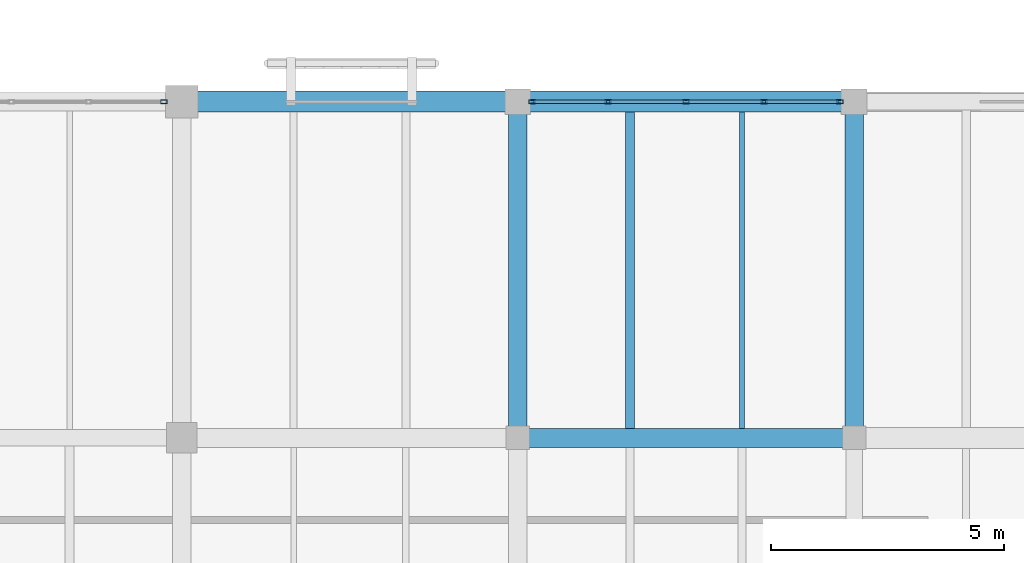
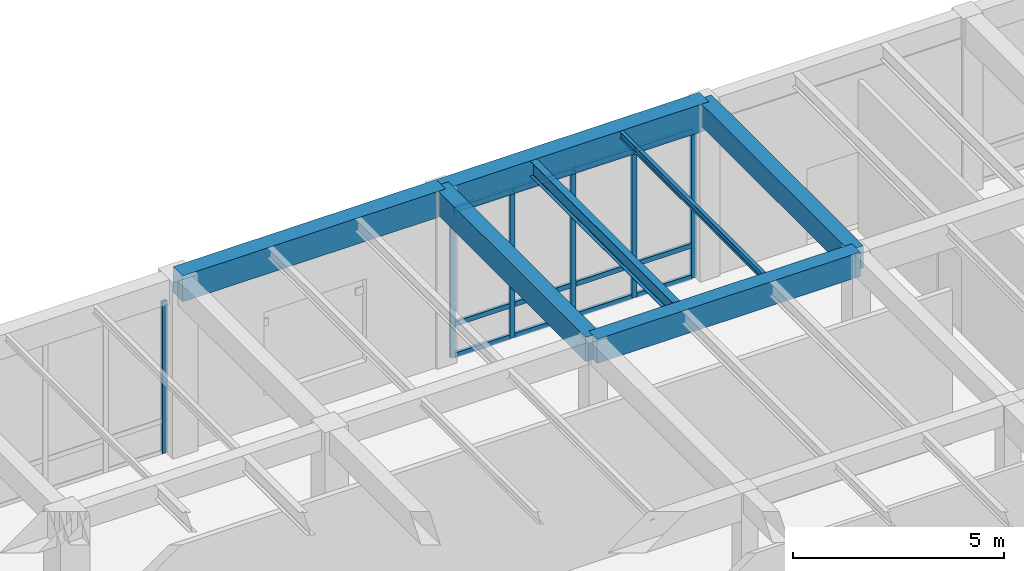
# One storey, part 106 of 169: 18 members, 7 beams, 2 elements without a shape of their own.
"""IFC4 building model written with IfcOpenShell, lengths in metres."""

import ifcopenshell
import ifcopenshell.guid

model = None  # the IFC model being written
_history = None  # IfcOwnerHistory: only IFC2X3 demands one
_inside = {}  # id of a spatial element -> (the spatial element, [elements in it])
_under = {}  # id of a project, library or spatial element -> (it, [spatial elements below it])
_declared = {}  # id of a project -> (the project, [libraries it declares])
_typed = {}  # id of a type object -> (the type object, [elements of that type])
_made_of = {}  # id of a material, layer set ... -> (it, [elements and type objects made of it])


def new_model(schema):
    """Start an empty IFC model of exactly this schema.

    Asked for "IFC4X3", IfcOpenShell would pick the latest addendum, in which some entities
    have other attributes; the version numbers below select the first issue.
    IFC2X3 requires an IfcOwnerHistory on every rooted entity: one is made here for all.
    """
    global model, _history
    if schema == "IFC4X3":
        model = ifcopenshell.file(schema_version=(4, 3, 0, 0))
    else:
        model = ifcopenshell.file(schema=schema)
    _inside.clear()
    _under.clear()
    _declared.clear()
    _typed.clear()
    _made_of.clear()
    _history = None
    if model.schema == "IFC2X3":
        org = make("IfcOrganization", Name="unknown")
        user = make(
            "IfcPersonAndOrganization",
            ThePerson=make("IfcPerson", FamilyName="unknown"),
            TheOrganization=org,
        )
        app = make(
            "IfcApplication",
            ApplicationDeveloper=org,
            Version="unknown",
            ApplicationFullName="unknown",
            ApplicationIdentifier="unknown",
        )
        _history = make(
            "IfcOwnerHistory",
            OwningUser=user,
            OwningApplication=app,
            ChangeAction="ADDED",
            CreationDate=0,
        )
    return model


def make(cls, **values):
    """One entity of the class cls with the attributes given. An attribute that is None is left unset."""
    return model.create_entity(
        cls, **{name: value for name, value in values.items() if value is not None}
    )


def rooted(cls, **values):
    """An entity with a GlobalId (a new one), such as an element, a storey or a relation."""
    return make(cls, GlobalId=ifcopenshell.guid.new(), OwnerHistory=_history, **values)


def si_unit(unit_type, name, prefix=None):
    """IfcSIUnit, for example si_unit("LENGTHUNIT", "METRE", prefix="MILLI")."""
    return make("IfcSIUnit", UnitType=unit_type, Prefix=prefix, Name=name)


def assignment(units):
    """IfcUnitAssignment: the units of a project."""
    return None if units is None else make("IfcUnitAssignment", Units=units)


def point(xyz):
    """IfcCartesianPoint."""
    return None if xyz is None else make("IfcCartesianPoint", Coordinates=xyz)


def direction(xyz):
    """IfcDirection."""
    return None if xyz is None else make("IfcDirection", DirectionRatios=xyz)


def frame(location, z_axis=None, x_axis=None):
    """IfcAxis2Placement3D, a coordinate frame: its origin and axes. An axis left out is left unset."""
    return make(
        "IfcAxis2Placement3D",
        Location=point(location),
        Axis=direction(z_axis),
        RefDirection=direction(x_axis),
    )


def frame_2d(location, x_axis=None):
    """IfcAxis2Placement2D, a coordinate frame in the plane: its origin and x axis."""
    return make(
        "IfcAxis2Placement2D", Location=point(location), RefDirection=direction(x_axis)
    )


def origin():
    """The frame at (0, 0, 0) with its axes left unset."""
    return frame((0.0, 0.0, 0.0))


def origin_2d():
    """The frame at (0, 0) in the plane with its x axis left unset."""
    return frame_2d((0.0, 0.0))


def place(relative_to, where):
    """IfcLocalPlacement: puts the frame where relative to a parent placement (None: the world)."""
    return make(
        "IfcLocalPlacement", PlacementRelTo=relative_to, RelativePlacement=where
    )


def context(
    kind, dimensions, precision=None, world=None, true_north=None, identifier=None
):
    """IfcGeometricRepresentationContext, for example the 3D "Model" context."""
    return make(
        "IfcGeometricRepresentationContext",
        ContextIdentifier=identifier,
        ContextType=kind,
        CoordinateSpaceDimension=dimensions,
        Precision=precision,
        WorldCoordinateSystem=world,
        TrueNorth=true_north,
    )


def subcontext(parent, identifier, kind, view, scale=None):
    """IfcGeometricRepresentationSubContext, for example "Body" below "Model"."""
    return make(
        "IfcGeometricRepresentationSubContext",
        ContextIdentifier=identifier,
        ContextType=kind,
        ParentContext=parent,
        TargetScale=scale,
        TargetView=view,
    )


def project(units=None, contexts=None):
    """IfcProject with its units and contexts."""
    return rooted(
        "IfcProject",
        Name="project",
        RepresentationContexts=contexts,
        UnitsInContext=assignment(units),
    )


def spatial(cls, under=None, at=None, **own):
    """A site, building, storey or space (cls), placed at a placement, below another one or the project."""
    s = rooted(cls, ObjectPlacement=at, **own)
    if under is not None:
        _under.setdefault(under.id(), (under, []))[1].append(s)
    return s


def profile(cls, at=None, kind="AREA", **sizes):
    """A parametric profile (cls). Its sizes go by their IFC names, for example OverallWidth=200.0."""
    return make(cls, ProfileType=kind, Position=at, **sizes)


def rectangle(**sizes):
    """IfcRectangleProfileDef."""
    return profile("IfcRectangleProfileDef", **sizes)


def hollow_rectangle(**sizes):
    """IfcRectangleHollowProfileDef."""
    return profile("IfcRectangleHollowProfileDef", **sizes)


def i_section(**sizes):
    """IfcIShapeProfileDef."""
    return profile("IfcIShapeProfileDef", **sizes)


def extrude(swept, where, along, depth):
    """IfcExtrudedAreaSolid: the profile swept, set in the frame where, extruded along a direction by depth."""
    return make(
        "IfcExtrudedAreaSolid",
        SweptArea=swept,
        Position=where,
        ExtrudedDirection=direction(along),
        Depth=depth,
    )


def shape(context_of_items, identifier, shape_type, items):
    """IfcShapeRepresentation: the items that make up one representation, for example the "Body"."""
    return make(
        "IfcShapeRepresentation",
        ContextOfItems=context_of_items,
        RepresentationIdentifier=identifier,
        RepresentationType=shape_type,
        Items=items,
    )


def material(Name=None, Category=None):
    """IfcMaterial."""
    return make("IfcMaterial", Name=Name, Category=Category)


def layer(
    of_material, thickness, ventilated=None, Name=None, Category=None, Priority=None
):
    """IfcMaterialLayer: one layer of a wall or slab, of a material (None: an air gap)."""
    return make(
        "IfcMaterialLayer",
        Material=of_material,
        LayerThickness=thickness,
        IsVentilated=ventilated,
        Name=Name,
        Category=Category,
        Priority=Priority,
    )


def layer_set(layers, Name=None):
    """IfcMaterialLayerSet."""
    return make("IfcMaterialLayerSet", MaterialLayers=layers, LayerSetName=Name)


def material_profile(
    of_material, cross_section, Name=None, Category=None, Priority=None
):
    """IfcMaterialProfile: a cross section and its material."""
    return make(
        "IfcMaterialProfile",
        Name=Name,
        Material=of_material,
        Profile=cross_section,
        Priority=Priority,
        Category=Category,
    )


def profile_set(profiles, Name=None, composite=None):
    """IfcMaterialProfileSet."""
    return make(
        "IfcMaterialProfileSet",
        Name=Name,
        MaterialProfiles=profiles,
        CompositeProfile=composite,
    )


def made_of(thing, what):
    """Note that an element or type object is made of a material, layer set ...; save() writes the relation."""
    if what is not None:
        _made_of.setdefault(what.id(), (what, []))[1].append(thing)
    return thing


def type_object(cls, material=None, **own):
    """A type object (cls), such as IfcWallType, which elements share."""
    return made_of(rooted(cls, **own), material)


def element(
    cls,
    number,
    at=None,
    inside=None,
    cuts=None,
    type_object=None,
    material=None,
    context=None,
    identifier="Body",
    shape_type=None,
    held_by="IfcProductDefinitionShape",
    body=None,
    shapes=None,
    **own,
):
    """One element of the class cls, such as IfcWall. Its Tag is "e" and its number.

    at: its placement. inside: the storey or other place that contains it. cuts: it is an
    opening in that element (IfcRelVoidsElement). A single representation is given by context,
    identifier, shape_type and body (its items); several are given by shapes. held_by: the class
    of the entity that holds the representations. save() writes the other relations.
    """
    e = rooted(cls, Tag="e%d" % number, ObjectPlacement=at, **own)
    if body is not None:
        shapes = [shape(context, identifier, shape_type, body)]
    if shapes is not None:
        e.Representation = make(held_by, Representations=shapes)
    if inside is not None:
        _inside.setdefault(inside.id(), (inside, []))[1].append(e)
    if cuts is not None:
        rooted(
            "IfcRelVoidsElement", RelatingBuildingElement=cuts, RelatedOpeningElement=e
        )
    if type_object is not None:
        _typed.setdefault(type_object.id(), (type_object, []))[1].append(e)
    return made_of(e, material)


def aggregate(whole, parts):
    """IfcRelAggregates: a whole, such as a stair, and the parts it consists of."""
    return rooted("IfcRelAggregates", RelatingObject=whole, RelatedObjects=parts)


def save(model, path):
    """Write the relations noted so far, then the file.

    IfcRelAggregates (storeys below a building ...), IfcRelContainedInSpatialStructure (elements
    in a storey), IfcRelDefinesByType, IfcRelAssociatesMaterial and IfcRelDeclares: one each for
    every whole, place, type object, material and project.
    """
    for whole, parts in _under.values():
        aggregate(whole, parts)
    for where, things in _inside.values():
        rooted(
            "IfcRelContainedInSpatialStructure",
            RelatedElements=things,
            RelatingStructure=where,
        )
    for kind, things in _typed.values():
        rooted("IfcRelDefinesByType", RelatedObjects=things, RelatingType=kind)
    for what, things in _made_of.values():
        rooted("IfcRelAssociatesMaterial", RelatedObjects=things, RelatingMaterial=what)
    for by, libraries in _declared.values():
        rooted("IfcRelDeclares", RelatingContext=by, RelatedDefinitions=libraries)
    model.write(path)


model = new_model("IFC4")

# Units and contexts
model_context = context("Model", 3, precision=1e-05, world=origin(), true_north=direction((0.0, 1.0)))
body_context = subcontext(model_context, "Body", "Model", "MODEL_VIEW")
ifc_project = project(units=[si_unit("LENGTHUNIT", "METRE"), si_unit("AREAUNIT", "SQUARE_METRE"), si_unit("VOLUMEUNIT", "CUBIC_METRE"), si_unit("PLANEANGLEUNIT", "RADIAN"), si_unit("MASSUNIT", "GRAM", prefix="KILO")], contexts=[model_context])

# Site, building, storey
site_placement = place(None, origin())
site = spatial("IfcSite", under=ifc_project, at=site_placement, CompositionType="ELEMENT")
building_placement = place(site_placement, origin())
building = spatial("IfcBuilding", under=site, at=building_placement, Name="Mazaris Harbour Polytechnic", CompositionType="ELEMENT")
storey_placement = place(building_placement, origin())
storey = spatial("IfcBuildingStorey", under=building, at=storey_placement, Name="L00", CompositionType="ELEMENT", Elevation=0.0)

# Curtain wall, member
ifc_material_1 = material(Name="Anodised Bronze Aluminium and Low-E Glass", Category="aluminium")
ifc_layer = layer(ifc_material_1, 0.169921875, Name="Anodised Bronze Aluminium and Low-E Glass")
ifc_layer_set = layer_set([ifc_layer], Name="Anodised Bronze Aluminium and Low-E Glass")
curtain_wall_type = type_object("IfcCurtainWallType", Name="Studio North-Light Curtain Wall", PredefinedType="NOTDEFINED", material=ifc_layer_set)
curtain_wall_1_placement = place(storey_placement, origin())
curtain_wall_1 = element("IfcCurtainWall", 1, at=curtain_wall_1_placement, inside=storey, type_object=curtain_wall_type, Name="V5 L00 Curtain Wall 184", PredefinedType="NOTDEFINED")
ifc_material_2 = material(Name="Anodised Bronze Steel S355", Category="steel")
ifc_material_profile_1 = material_profile(ifc_material_2, hollow_rectangle(XDim=0.080078125, YDim=0.139892578125, WallThickness=0.00634765625, at=origin_2d()), Name="RHS 80x140x6.3")
ifc_profile_set_1 = profile_set([ifc_material_profile_1], Name="Anodised Bronze Steel S355")
member_type_1 = type_object("IfcMemberType", Name="Curtain Mullion RHS80x140", PredefinedType="MULLION", material=ifc_profile_set_1)
member_1_placement = place(storey_placement, frame((143.617919921875, 108.0, 0.0), z_axis=(0.0, 0.0, 1.0), x_axis=(0.0, 1.0, 0.0)))
member_1 = element("IfcMember", 2, at=member_1_placement, type_object=member_type_1, Name="CW-03 mullion 5", PredefinedType="MULLION", context=body_context, shape_type="SweptSolid", body=[
    extrude(hollow_rectangle(XDim=0.080078125, YDim=0.139892578125, WallThickness=0.00634765625, at=origin_2d()), origin(), (0.0, 0.0, 1.0), 4.389892578125),
])
aggregate(curtain_wall_1, [member_1])

# Curtain wall, members
curtain_wall_2_placement = place(storey_placement, origin())
curtain_wall_2 = element("IfcCurtainWall", 3, at=curtain_wall_2_placement, inside=storey, type_object=curtain_wall_type, Name="V5 L00 Curtain Wall 185", PredefinedType="NOTDEFINED")
member_2_placement = place(storey_placement, frame((151.507080078125, 108.0, 0.0), z_axis=(0.0, 0.0, 1.0), x_axis=(0.0, 1.0, 0.0)))
member_2 = element("IfcMember", 4, at=member_2_placement, type_object=member_type_1, Name="CW-03 mullion 1", PredefinedType="MULLION", context=body_context, shape_type="SweptSolid", body=[
    extrude(hollow_rectangle(XDim=0.080078125, YDim=0.139892578125, WallThickness=0.00634765625, at=origin_2d()), origin(), (0.0, 0.0, 1.0), 4.2900390625),
])
member_3_placement = place(storey_placement, frame((153.133544921875, 108.0, 0.0), z_axis=(0.0, 0.0, 1.0), x_axis=(0.0, 1.0, 0.0)))
member_3 = element("IfcMember", 5, at=member_3_placement, type_object=member_type_1, Name="CW-03 mullion 2", PredefinedType="MULLION", context=body_context, shape_type="SweptSolid", body=[
    extrude(hollow_rectangle(XDim=0.080078125, YDim=0.139892578125, WallThickness=0.00634765625, at=origin_2d()), origin(), (0.0, 0.0, 1.0), 4.2900390625),
])
member_4_placement = place(storey_placement, frame((154.800048828125, 108.0, 0.0), z_axis=(0.0, 0.0, 1.0), x_axis=(0.0, 1.0, 0.0)))
member_4 = element("IfcMember", 6, at=member_4_placement, type_object=member_type_1, Name="CW-03 mullion 3", PredefinedType="MULLION", context=body_context, shape_type="SweptSolid", body=[
    extrude(hollow_rectangle(XDim=0.080078125, YDim=0.139892578125, WallThickness=0.00634765625, at=origin_2d()), origin(), (0.0, 0.0, 1.0), 4.2900390625),
])
member_5_placement = place(storey_placement, frame((156.466552734375, 108.0, 0.0), z_axis=(0.0, 0.0, 1.0), x_axis=(0.0, 1.0, 0.0)))
member_5 = element("IfcMember", 7, at=member_5_placement, type_object=member_type_1, Name="CW-03 mullion 4", PredefinedType="MULLION", context=body_context, shape_type="SweptSolid", body=[
    extrude(hollow_rectangle(XDim=0.080078125, YDim=0.139892578125, WallThickness=0.00634765625, at=origin_2d()), origin(), (0.0, 0.0, 1.0), 4.2900390625),
])
member_6_placement = place(storey_placement, frame((158.093017578125, 108.0, 0.0), z_axis=(0.0, 0.0, 1.0), x_axis=(0.0, 1.0, 0.0)))
member_6 = element("IfcMember", 8, at=member_6_placement, type_object=member_type_1, Name="CW-03 mullion 5", PredefinedType="MULLION", context=body_context, shape_type="SweptSolid", body=[
    extrude(hollow_rectangle(XDim=0.080078125, YDim=0.139892578125, WallThickness=0.00634765625, at=origin_2d()), origin(), (0.0, 0.0, 1.0), 4.2900390625),
])
ifc_material_3 = material(Name="Anodised Bronze Steel S355", Category="steel")
ifc_material_profile_2 = material_profile(ifc_material_3, hollow_rectangle(XDim=0.080078125, YDim=0.139892578125, WallThickness=0.00634765625, at=origin_2d()), Name="RHS 80x140x6.3")
ifc_profile_set_2 = profile_set([ifc_material_profile_2], Name="Anodised Bronze Steel S355")
member_type_2 = type_object("IfcMemberType", Name="Curtain Transom RHS80x140", PredefinedType="USERDEFINED", material=ifc_profile_set_2)
member_7_placement = place(storey_placement, frame((151.547119140625, 108.0, 0.0400390625), z_axis=(1.0, 0.0, 0.0), x_axis=(0.0, 1.0, 0.0)))
member_7 = element("IfcMember", 9, at=member_7_placement, type_object=member_type_2, Name="CW-03 transom 1.1", ObjectType="TRANSOM", PredefinedType="USERDEFINED", context=body_context, shape_type="SweptSolid", body=[
    extrude(hollow_rectangle(XDim=0.080078125, YDim=0.139892578125, WallThickness=0.00634765625, at=origin_2d()), origin(), (0.0, 0.0, 1.0), 1.54638671875),
])
member_8_placement = place(storey_placement, frame((151.547119140625, 108.0, 0.949951171875), z_axis=(1.0, 0.0, 0.0), x_axis=(0.0, 1.0, 0.0)))
member_8 = element("IfcMember", 10, at=member_8_placement, type_object=member_type_2, Name="CW-03 transom 1.2", ObjectType="TRANSOM", PredefinedType="USERDEFINED", context=body_context, shape_type="SweptSolid", body=[
    extrude(hollow_rectangle(XDim=0.080078125, YDim=0.139892578125, WallThickness=0.00634765625, at=origin_2d()), origin(), (0.0, 0.0, 1.0), 1.54638671875),
])
member_9_placement = place(storey_placement, frame((151.547119140625, 108.0, 4.25), z_axis=(1.0, 0.0, 0.0), x_axis=(0.0, 1.0, 0.0)))
member_9 = element("IfcMember", 11, at=member_9_placement, type_object=member_type_2, Name="CW-03 transom 1.3", ObjectType="TRANSOM", PredefinedType="USERDEFINED", context=body_context, shape_type="SweptSolid", body=[
    extrude(hollow_rectangle(XDim=0.080078125, YDim=0.139892578125, WallThickness=0.00634765625, at=origin_2d()), origin(), (0.0, 0.0, 1.0), 1.54638671875),
])
member_10_placement = place(storey_placement, frame((153.173583984375, 108.0, 0.0400390625), z_axis=(1.0, 0.0, 0.0), x_axis=(0.0, 1.0, 0.0)))
member_10 = element("IfcMember", 12, at=member_10_placement, type_object=member_type_2, Name="CW-03 transom 2.1", ObjectType="TRANSOM", PredefinedType="USERDEFINED", context=body_context, shape_type="SweptSolid", body=[
    extrude(hollow_rectangle(XDim=0.080078125, YDim=0.139892578125, WallThickness=0.00634765625, at=origin_2d()), origin(), (0.0, 0.0, 1.0), 1.58642578125),
])
member_11_placement = place(storey_placement, frame((153.173583984375, 108.0, 0.949951171875), z_axis=(1.0, 0.0, 0.0), x_axis=(0.0, 1.0, 0.0)))
member_11 = element("IfcMember", 13, at=member_11_placement, type_object=member_type_2, Name="CW-03 transom 2.2", ObjectType="TRANSOM", PredefinedType="USERDEFINED", context=body_context, shape_type="SweptSolid", body=[
    extrude(hollow_rectangle(XDim=0.080078125, YDim=0.139892578125, WallThickness=0.00634765625, at=origin_2d()), origin(), (0.0, 0.0, 1.0), 1.58642578125),
])
member_12_placement = place(storey_placement, frame((153.173583984375, 108.0, 4.25), z_axis=(1.0, 0.0, 0.0), x_axis=(0.0, 1.0, 0.0)))
member_12 = element("IfcMember", 14, at=member_12_placement, type_object=member_type_2, Name="CW-03 transom 2.3", ObjectType="TRANSOM", PredefinedType="USERDEFINED", context=body_context, shape_type="SweptSolid", body=[
    extrude(hollow_rectangle(XDim=0.080078125, YDim=0.139892578125, WallThickness=0.00634765625, at=origin_2d()), origin(), (0.0, 0.0, 1.0), 1.58642578125),
])
member_13_placement = place(storey_placement, frame((154.840087890625, 108.0, 0.0400390625), z_axis=(1.0, 0.0, 0.0), x_axis=(0.0, 1.0, 0.0)))
member_13 = element("IfcMember", 15, at=member_13_placement, type_object=member_type_2, Name="CW-03 transom 3.1", ObjectType="TRANSOM", PredefinedType="USERDEFINED", context=body_context, shape_type="SweptSolid", body=[
    extrude(hollow_rectangle(XDim=0.080078125, YDim=0.139892578125, WallThickness=0.00634765625, at=origin_2d()), origin(), (0.0, 0.0, 1.0), 1.58642578125),
])
member_14_placement = place(storey_placement, frame((154.840087890625, 108.0, 0.949951171875), z_axis=(1.0, 0.0, 0.0), x_axis=(0.0, 1.0, 0.0)))
member_14 = element("IfcMember", 16, at=member_14_placement, type_object=member_type_2, Name="CW-03 transom 3.2", ObjectType="TRANSOM", PredefinedType="USERDEFINED", context=body_context, shape_type="SweptSolid", body=[
    extrude(hollow_rectangle(XDim=0.080078125, YDim=0.139892578125, WallThickness=0.00634765625, at=origin_2d()), origin(), (0.0, 0.0, 1.0), 1.58642578125),
])
member_15_placement = place(storey_placement, frame((154.840087890625, 108.0, 4.25), z_axis=(1.0, 0.0, 0.0), x_axis=(0.0, 1.0, 0.0)))
member_15 = element("IfcMember", 17, at=member_15_placement, type_object=member_type_2, Name="CW-03 transom 3.3", ObjectType="TRANSOM", PredefinedType="USERDEFINED", context=body_context, shape_type="SweptSolid", body=[
    extrude(hollow_rectangle(XDim=0.080078125, YDim=0.139892578125, WallThickness=0.00634765625, at=origin_2d()), origin(), (0.0, 0.0, 1.0), 1.58642578125),
])
member_16_placement = place(storey_placement, frame((156.506591796875, 108.0, 0.0400390625), z_axis=(1.0, 0.0, 0.0), x_axis=(0.0, 1.0, 0.0)))
member_16 = element("IfcMember", 18, at=member_16_placement, type_object=member_type_2, Name="CW-03 transom 4.1", ObjectType="TRANSOM", PredefinedType="USERDEFINED", context=body_context, shape_type="SweptSolid", body=[
    extrude(hollow_rectangle(XDim=0.080078125, YDim=0.139892578125, WallThickness=0.00634765625, at=origin_2d()), origin(), (0.0, 0.0, 1.0), 1.54638671875),
])
member_17_placement = place(storey_placement, frame((156.506591796875, 108.0, 0.949951171875), z_axis=(1.0, 0.0, 0.0), x_axis=(0.0, 1.0, 0.0)))
member_17 = element("IfcMember", 19, at=member_17_placement, type_object=member_type_2, Name="CW-03 transom 4.2", ObjectType="TRANSOM", PredefinedType="USERDEFINED", context=body_context, shape_type="SweptSolid", body=[
    extrude(hollow_rectangle(XDim=0.080078125, YDim=0.139892578125, WallThickness=0.00634765625, at=origin_2d()), origin(), (0.0, 0.0, 1.0), 1.54638671875),
])
member_18_placement = place(storey_placement, frame((156.506591796875, 108.0, 4.25), z_axis=(1.0, 0.0, 0.0), x_axis=(0.0, 1.0, 0.0)))
member_18 = element("IfcMember", 20, at=member_18_placement, type_object=member_type_2, Name="CW-03 transom 4.3", ObjectType="TRANSOM", PredefinedType="USERDEFINED", context=body_context, shape_type="SweptSolid", body=[
    extrude(hollow_rectangle(XDim=0.080078125, YDim=0.139892578125, WallThickness=0.00634765625, at=origin_2d()), origin(), (0.0, 0.0, 1.0), 1.54638671875),
])
aggregate(curtain_wall_2, [member_2, member_3, member_4, member_5, member_6, member_7, member_8, member_9, member_10, member_11, member_12, member_13, member_14, member_15, member_16, member_17, member_18])

# Beams
ifc_material_4 = material(Name="Concrete C35/45", Category="concrete")
ifc_material_profile_3 = material_profile(ifc_material_4, rectangle(XDim=0.39990234375, YDim=0.64990234375, at=origin_2d()), Name="RECT400x650")
ifc_profile_set_3 = profile_set([ifc_material_profile_3], Name="Concrete C35/45")
beam_type_1 = type_object("IfcBeamType", Name="RC Girder 400x650", PredefinedType="BEAM", material=ifc_profile_set_3)
beam_1_placement = place(storey_placement, frame((158.39990234375, 100.800048828125, 4.77490234375), z_axis=(0.0, 1.0, 0.0), x_axis=(-1.0, 0.0, 0.0)))
element("IfcBeam", 21, at=beam_1_placement, inside=storey, type_object=beam_type_1, Name="V5 L00 Tie Girder 2801", PredefinedType="BEAM", context=body_context, shape_type="SweptSolid", body=[
    extrude(rectangle(XDim=0.39990234375, YDim=0.64990234375, at=origin_2d()), origin(), (0.0, 0.0, 1.0), 7.199951171875),
])
ifc_material_5 = material(Name="Concrete C35/45", Category="concrete")
ifc_material_profile_4 = material_profile(ifc_material_5, rectangle(XDim=0.39990234375, YDim=0.699951171875, at=origin_2d()), Name="RECT400x700")
ifc_profile_set_4 = profile_set([ifc_material_profile_4], Name="Concrete C35/45")
beam_type_2 = type_object("IfcBeamType", Name="RC Girder 400x700", PredefinedType="BEAM", material=ifc_profile_set_4)
for number, where, z_axis, x_axis, name in (
    (22, (151.199951171875, 100.800048828125, 4.75), (1.0, 0.0, 0.0), (0.0, 1.0, 0.0), "V5 L00 Girder 2747"),
    (23, (151.199951171875, 100.800048828125, 4.75), (0.0, 1.0, 0.0), (-1.0, 0.0, 0.0), "V5 L00 Tie Girder 2792"),
):
    element("IfcBeam", number, at=place(storey_placement, frame(where, z_axis=z_axis, x_axis=x_axis)), inside=storey, type_object=beam_type_2, Name=name, PredefinedType="BEAM", context=body_context, shape_type="SweptSolid", body=[
        extrude(rectangle(XDim=0.39990234375, YDim=0.699951171875, at=origin_2d()), origin(), (0.0, 0.0, 1.0), 7.199951171875),
    ])
ifc_material_6 = material(Name="Concrete C40/50", Category="concrete")
ifc_material_profile_5 = material_profile(ifc_material_6, rectangle(XDim=0.449951171875, YDim=0.75, at=origin_2d()), Name="RECT450x750")
ifc_profile_set_5 = profile_set([ifc_material_profile_5], Name="Concrete C40/50")
beam_type_3 = type_object("IfcBeamType", Name="RC Girder 450x750 Exterior", PredefinedType="BEAM", material=ifc_profile_set_5)
beam_2_placement = place(storey_placement, frame((144.0, 108.0, 4.72509765625), z_axis=(1.0, 0.0, 0.0), x_axis=(0.0, 1.0, 0.0)))
element("IfcBeam", 24, at=beam_2_placement, inside=storey, type_object=beam_type_3, Name="V5 L00 Girder 2753", PredefinedType="BEAM", context=body_context, shape_type="SweptSolid", body=[
    extrude(rectangle(XDim=0.449951171875, YDim=0.75, at=origin_2d()), origin(), (0.0, 0.0, 1.0), 7.199951171875),
])
ifc_material_7 = material(Name="Concrete C40/50", Category="concrete")
ifc_material_profile_6 = material_profile(ifc_material_7, rectangle(XDim=0.449951171875, YDim=0.800048828125, at=origin_2d()), Name="RECT450x800")
ifc_profile_set_6 = profile_set([ifc_material_profile_6], Name="Concrete C40/50")
beam_type_4 = type_object("IfcBeamType", Name="RC Girder 450x800 Exterior", PredefinedType="BEAM", material=ifc_profile_set_6)
beam_3_placement = place(storey_placement, frame((151.199951171875, 108.0, 4.699951171875), z_axis=(1.0, 0.0, 0.0), x_axis=(0.0, 1.0, 0.0)))
element("IfcBeam", 25, at=beam_3_placement, inside=storey, type_object=beam_type_4, Name="V5 L00 Girder 2754", PredefinedType="BEAM", context=body_context, shape_type="SweptSolid", body=[
    extrude(rectangle(XDim=0.449951171875, YDim=0.800048828125, at=origin_2d()), origin(), (0.0, 0.0, 1.0), 7.199951171875),
])
ifc_material_8 = material(Name="Steel S355", Category="steel")
ifc_material_profile_7 = material_profile(ifc_material_8, i_section(OverallWidth=0.10009765625, OverallDepth=0.199951171875, WebThickness=0.005615234375, FlangeThickness=0.008544921875, FilletRadius=0.011962890625, at=origin_2d()), Name="IPE 200")
ifc_profile_set_7 = profile_set([ifc_material_profile_7], Name="Steel S355")
beam_type_5 = type_object("IfcBeamType", Name="Steel Joist IPE200", PredefinedType="JOIST", material=ifc_profile_set_7)
beam_4_placement = place(storey_placement, frame((156.0, 101.0, 5.0), z_axis=(0.0, 1.0, 0.0), x_axis=(-1.0, 0.0, 0.0)))
element("IfcBeam", 26, at=beam_4_placement, inside=storey, type_object=beam_type_5, Name="V5 L00 Floor Joist 2877", PredefinedType="JOIST", context=body_context, shape_type="SweptSolid", body=[
    extrude(i_section(OverallWidth=0.10009765625, OverallDepth=0.199951171875, WebThickness=0.005615234375, FlangeThickness=0.008544921875, FilletRadius=0.011962890625, at=origin_2d()), origin(), (0.0, 0.0, 1.0), 6.77490234375),
])
ifc_material_9 = material(Name="Steel S355", Category="steel")
ifc_material_profile_8 = material_profile(ifc_material_9, i_section(OverallWidth=0.18994140625, OverallDepth=0.449951171875, WebThickness=0.009521484375, FlangeThickness=0.0146484375, FilletRadius=0.02099609375, at=origin_2d()), Name="IPE 450")
ifc_profile_set_8 = profile_set([ifc_material_profile_8], Name="Steel S355")
beam_type_6 = type_object("IfcBeamType", Name="Steel Joist IPE450", PredefinedType="JOIST", material=ifc_profile_set_8)
beam_5_placement = place(storey_placement, frame((153.60009765625, 101.0, 4.875), z_axis=(0.0, 1.0, 0.0), x_axis=(-1.0, 0.0, 0.0)))
element("IfcBeam", 27, at=beam_5_placement, inside=storey, type_object=beam_type_6, Name="V5 L00 Floor Joist 2876", PredefinedType="JOIST", context=body_context, shape_type="SweptSolid", body=[
    extrude(i_section(OverallWidth=0.18994140625, OverallDepth=0.449951171875, WebThickness=0.009521484375, FlangeThickness=0.0146484375, FilletRadius=0.02099609375, at=origin_2d()), origin(), (0.0, 0.0, 1.0), 6.77490234375),
])

save(model, "model.ifc")
